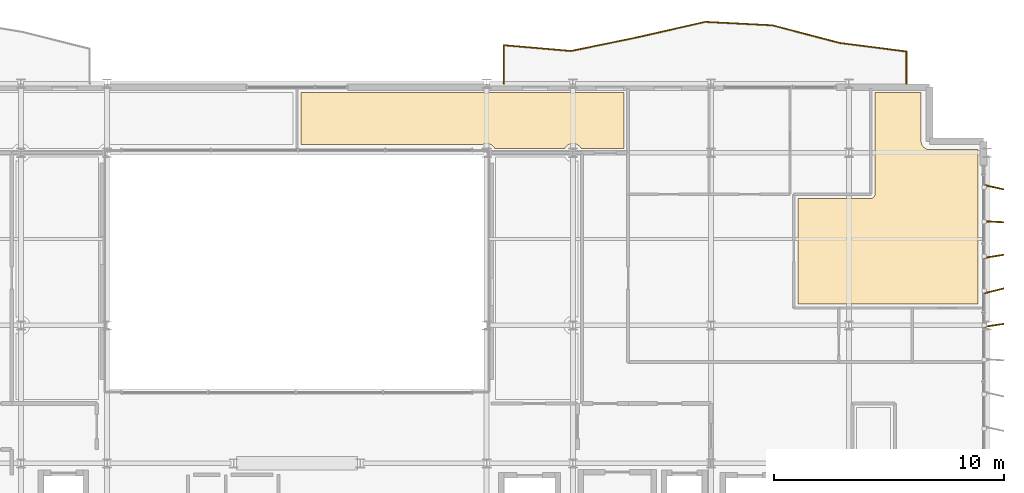
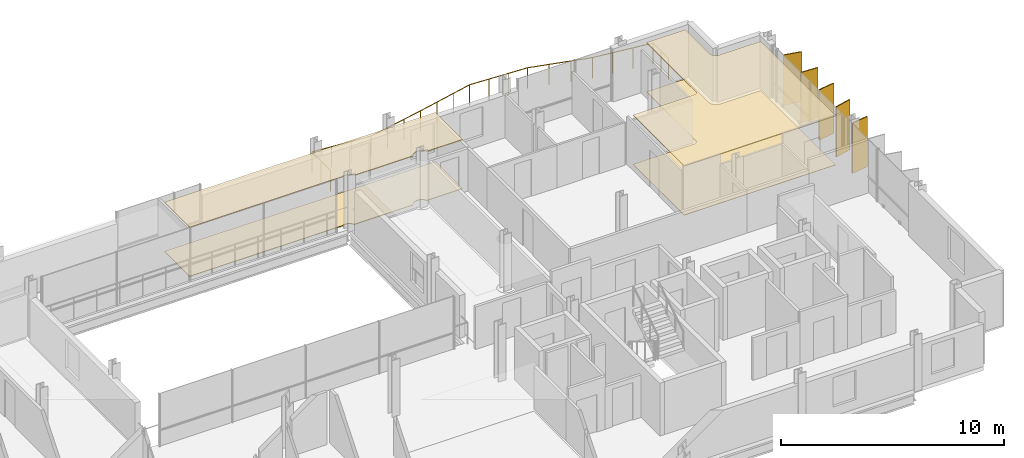
# One storey, part 38 of 38: 5 shading devices, 4 coverings, 1 railing.
"""IFC4 building model written with IfcOpenShell, lengths in metres."""

import ifcopenshell
import ifcopenshell.guid

model = None  # the IFC model being written
_history = None  # IfcOwnerHistory: only IFC2X3 demands one
_inside = {}  # id of a spatial element -> (the spatial element, [elements in it])
_under = {}  # id of a project, library or spatial element -> (it, [spatial elements below it])
_declared = {}  # id of a project -> (the project, [libraries it declares])
_typed = {}  # id of a type object -> (the type object, [elements of that type])
_made_of = {}  # id of a material, layer set ... -> (it, [elements and type objects made of it])


def new_model(schema):
    """Start an empty IFC model of exactly this schema.

    Asked for "IFC4X3", IfcOpenShell would pick the latest addendum, in which some entities
    have other attributes; the version numbers below select the first issue.
    IFC2X3 requires an IfcOwnerHistory on every rooted entity: one is made here for all.
    """
    global model, _history
    if schema == "IFC4X3":
        model = ifcopenshell.file(schema_version=(4, 3, 0, 0))
    else:
        model = ifcopenshell.file(schema=schema)
    _inside.clear()
    _under.clear()
    _declared.clear()
    _typed.clear()
    _made_of.clear()
    _history = None
    if model.schema == "IFC2X3":
        org = make("IfcOrganization", Name="unknown")
        user = make(
            "IfcPersonAndOrganization",
            ThePerson=make("IfcPerson", FamilyName="unknown"),
            TheOrganization=org,
        )
        app = make(
            "IfcApplication",
            ApplicationDeveloper=org,
            Version="unknown",
            ApplicationFullName="unknown",
            ApplicationIdentifier="unknown",
        )
        _history = make(
            "IfcOwnerHistory",
            OwningUser=user,
            OwningApplication=app,
            ChangeAction="ADDED",
            CreationDate=0,
        )
    return model


def make(cls, **values):
    """One entity of the class cls with the attributes given. An attribute that is None is left unset."""
    return model.create_entity(
        cls, **{name: value for name, value in values.items() if value is not None}
    )


def rooted(cls, **values):
    """An entity with a GlobalId (a new one), such as an element, a storey or a relation."""
    return make(cls, GlobalId=ifcopenshell.guid.new(), OwnerHistory=_history, **values)


def si_unit(unit_type, name, prefix=None):
    """IfcSIUnit, for example si_unit("LENGTHUNIT", "METRE", prefix="MILLI")."""
    return make("IfcSIUnit", UnitType=unit_type, Prefix=prefix, Name=name)


def assignment(units):
    """IfcUnitAssignment: the units of a project."""
    return None if units is None else make("IfcUnitAssignment", Units=units)


def point(xyz):
    """IfcCartesianPoint."""
    return None if xyz is None else make("IfcCartesianPoint", Coordinates=xyz)


def direction(xyz):
    """IfcDirection."""
    return None if xyz is None else make("IfcDirection", DirectionRatios=xyz)


def frame(location, z_axis=None, x_axis=None):
    """IfcAxis2Placement3D, a coordinate frame: its origin and axes. An axis left out is left unset."""
    return make(
        "IfcAxis2Placement3D",
        Location=point(location),
        Axis=direction(z_axis),
        RefDirection=direction(x_axis),
    )


def frame_2d(location, x_axis=None):
    """IfcAxis2Placement2D, a coordinate frame in the plane: its origin and x axis."""
    return make(
        "IfcAxis2Placement2D", Location=point(location), RefDirection=direction(x_axis)
    )


def origin():
    """The frame at (0, 0, 0) with its axes left unset."""
    return frame((0.0, 0.0, 0.0))


def origin_2d():
    """The frame at (0, 0) in the plane with its x axis left unset."""
    return frame_2d((0.0, 0.0))


def place(relative_to, where):
    """IfcLocalPlacement: puts the frame where relative to a parent placement (None: the world)."""
    return make(
        "IfcLocalPlacement", PlacementRelTo=relative_to, RelativePlacement=where
    )


def context(
    kind, dimensions, precision=None, world=None, true_north=None, identifier=None
):
    """IfcGeometricRepresentationContext, for example the 3D "Model" context."""
    return make(
        "IfcGeometricRepresentationContext",
        ContextIdentifier=identifier,
        ContextType=kind,
        CoordinateSpaceDimension=dimensions,
        Precision=precision,
        WorldCoordinateSystem=world,
        TrueNorth=true_north,
    )


def subcontext(parent, identifier, kind, view, scale=None):
    """IfcGeometricRepresentationSubContext, for example "Body" below "Model"."""
    return make(
        "IfcGeometricRepresentationSubContext",
        ContextIdentifier=identifier,
        ContextType=kind,
        ParentContext=parent,
        TargetScale=scale,
        TargetView=view,
    )


def project(units=None, contexts=None):
    """IfcProject with its units and contexts."""
    return rooted(
        "IfcProject",
        Name="project",
        RepresentationContexts=contexts,
        UnitsInContext=assignment(units),
    )


def spatial(cls, under=None, at=None, **own):
    """A site, building, storey or space (cls), placed at a placement, below another one or the project."""
    s = rooted(cls, ObjectPlacement=at, **own)
    if under is not None:
        _under.setdefault(under.id(), (under, []))[1].append(s)
    return s


def polyline(points):
    """IfcPolyline through the points."""
    return make("IfcPolyline", Points=[point(p) for p in points])


def profile(cls, at=None, kind="AREA", **sizes):
    """A parametric profile (cls). Its sizes go by their IFC names, for example OverallWidth=200.0."""
    return make(cls, ProfileType=kind, Position=at, **sizes)


def rectangle(**sizes):
    """IfcRectangleProfileDef."""
    return profile("IfcRectangleProfileDef", **sizes)


def circle(**sizes):
    """IfcCircleProfileDef."""
    return profile("IfcCircleProfileDef", **sizes)


def outline(outer, holes=None, kind="AREA"):
    """IfcArbitraryClosedProfileDef: a profile drawn as a closed curve; with holes, ...WithVoids."""
    if holes is None:
        return make("IfcArbitraryClosedProfileDef", ProfileType=kind, OuterCurve=outer)
    return make(
        "IfcArbitraryProfileDefWithVoids",
        ProfileType=kind,
        OuterCurve=outer,
        InnerCurves=holes,
    )


def extrude(swept, where, along, depth):
    """IfcExtrudedAreaSolid: the profile swept, set in the frame where, extruded along a direction by depth."""
    return make(
        "IfcExtrudedAreaSolid",
        SweptArea=swept,
        Position=where,
        ExtrudedDirection=direction(along),
        Depth=depth,
    )


def shape(context_of_items, identifier, shape_type, items):
    """IfcShapeRepresentation: the items that make up one representation, for example the "Body"."""
    return make(
        "IfcShapeRepresentation",
        ContextOfItems=context_of_items,
        RepresentationIdentifier=identifier,
        RepresentationType=shape_type,
        Items=items,
    )


def material(Name=None, Category=None):
    """IfcMaterial."""
    return make("IfcMaterial", Name=Name, Category=Category)


def layer(
    of_material, thickness, ventilated=None, Name=None, Category=None, Priority=None
):
    """IfcMaterialLayer: one layer of a wall or slab, of a material (None: an air gap)."""
    return make(
        "IfcMaterialLayer",
        Material=of_material,
        LayerThickness=thickness,
        IsVentilated=ventilated,
        Name=Name,
        Category=Category,
        Priority=Priority,
    )


def layer_set(layers, Name=None):
    """IfcMaterialLayerSet."""
    return make("IfcMaterialLayerSet", MaterialLayers=layers, LayerSetName=Name)


def made_of(thing, what):
    """Note that an element or type object is made of a material, layer set ...; save() writes the relation."""
    if what is not None:
        _made_of.setdefault(what.id(), (what, []))[1].append(thing)
    return thing


def type_object(cls, material=None, **own):
    """A type object (cls), such as IfcWallType, which elements share."""
    return made_of(rooted(cls, **own), material)


def element(
    cls,
    number,
    at=None,
    inside=None,
    cuts=None,
    type_object=None,
    material=None,
    context=None,
    identifier="Body",
    shape_type=None,
    held_by="IfcProductDefinitionShape",
    body=None,
    shapes=None,
    **own,
):
    """One element of the class cls, such as IfcWall. Its Tag is "e" and its number.

    at: its placement. inside: the storey or other place that contains it. cuts: it is an
    opening in that element (IfcRelVoidsElement). A single representation is given by context,
    identifier, shape_type and body (its items); several are given by shapes. held_by: the class
    of the entity that holds the representations. save() writes the other relations.
    """
    e = rooted(cls, Tag="e%d" % number, ObjectPlacement=at, **own)
    if body is not None:
        shapes = [shape(context, identifier, shape_type, body)]
    if shapes is not None:
        e.Representation = make(held_by, Representations=shapes)
    if inside is not None:
        _inside.setdefault(inside.id(), (inside, []))[1].append(e)
    if cuts is not None:
        rooted(
            "IfcRelVoidsElement", RelatingBuildingElement=cuts, RelatedOpeningElement=e
        )
    if type_object is not None:
        _typed.setdefault(type_object.id(), (type_object, []))[1].append(e)
    return made_of(e, material)


def aggregate(whole, parts):
    """IfcRelAggregates: a whole, such as a stair, and the parts it consists of."""
    return rooted("IfcRelAggregates", RelatingObject=whole, RelatedObjects=parts)


def save(model, path):
    """Write the relations noted so far, then the file.

    IfcRelAggregates (storeys below a building ...), IfcRelContainedInSpatialStructure (elements
    in a storey), IfcRelDefinesByType, IfcRelAssociatesMaterial and IfcRelDeclares: one each for
    every whole, place, type object, material and project.
    """
    for whole, parts in _under.values():
        aggregate(whole, parts)
    for where, things in _inside.values():
        rooted(
            "IfcRelContainedInSpatialStructure",
            RelatedElements=things,
            RelatingStructure=where,
        )
    for kind, things in _typed.values():
        rooted("IfcRelDefinesByType", RelatedObjects=things, RelatingType=kind)
    for what, things in _made_of.values():
        rooted("IfcRelAssociatesMaterial", RelatedObjects=things, RelatingMaterial=what)
    for by, libraries in _declared.values():
        rooted("IfcRelDeclares", RelatingContext=by, RelatedDefinitions=libraries)
    model.write(path)


model = new_model("IFC4")

# Units and contexts
model_context = context("Model", 3, precision=1e-05, world=origin(), true_north=direction((0.0, 1.0)))
body_context = subcontext(model_context, "Body", "Model", "MODEL_VIEW")
ifc_project = project(units=[si_unit("LENGTHUNIT", "METRE"), si_unit("AREAUNIT", "SQUARE_METRE"), si_unit("VOLUMEUNIT", "CUBIC_METRE"), si_unit("PLANEANGLEUNIT", "RADIAN"), si_unit("MASSUNIT", "GRAM", prefix="KILO")], contexts=[model_context])

# Site, building, storey
site_placement = place(None, origin())
site = spatial("IfcSite", under=ifc_project, at=site_placement, CompositionType="ELEMENT")
building_placement = place(site_placement, origin())
building = spatial("IfcBuilding", under=site, at=building_placement, Name="Brevholm Reach", CompositionType="ELEMENT")
storey_placement = place(building_placement, frame((0.0, 0.0, 186.300048828125)))
storey = spatial("IfcBuildingStorey", under=building, at=storey_placement, Name="L56", CompositionType="ELEMENT", Elevation=186.300048828125)

# Coverings
ifc_material_1 = material(Name="Perforated Mineral-Fibre Class-A Acoustic Suspended Ceiling", Category="gypsum")
ifc_layer_1 = layer(ifc_material_1, 0.044921875)
ifc_layer_set_1 = layer_set([ifc_layer_1], Name="Perforated Mineral-Fibre Class-A Acoustic Suspended Ceiling")
covering_type_1 = type_object("IfcCoveringType", Name="COV-CLG-AC", PredefinedType="CEILING", material=ifc_layer_set_1)
covering_1_placement = place(storey_placement, frame((0.0, 0.0, 2.675048828125)))
element("IfcCovering", 1, at=covering_1_placement, inside=storey, type_object=covering_type_1, Name="L56 Suspended Ceiling L56-54", PredefinedType="CEILING", context=body_context, shape_type="SweptSolid", body=[
    extrude(outline(polyline([(51.780029296875, 16.929931640625), (51.780029296875, 21.51611328125), (54.95361328125, 21.516845703125), (54.97119140625, 21.517822265625), (54.98876953125, 21.5205078125), (55.005859375, 21.524658203125), (55.0224609375, 21.530517578125), (55.038330078125, 21.5380859375), (55.053466796875, 21.547119140625), (55.067626953125, 21.557861328125), (55.080810546875, 21.569580078125), (55.092529296875, 21.582763671875), (55.103271484375, 21.596923828125), (55.1123046875, 21.612060546875), (55.119873046875, 21.6279296875), (55.125732421875, 21.64453125), (55.1298828125, 21.66162109375), (55.132568359375, 21.67919921875), (55.133544921875, 21.69677734375), (55.135009765625, 26.1201171875), (57.139892578125, 26.1201171875), (57.139892578125, 24.0), (57.140869140625, 23.982177734375), (57.144287109375, 23.947021484375), (57.14697265625, 23.9296875), (57.151123046875, 23.912841796875), (57.161376953125, 23.879150390625), (57.167236328125, 23.8623046875), (57.1748046875, 23.84619140625), (57.19140625, 23.815185546875), (57.20068359375, 23.800048828125), (57.211181640625, 23.785888671875), (57.2333984375, 23.758544921875), (57.245361328125, 23.745361328125), (57.258544921875, 23.7333984375), (57.285888671875, 23.711181640625), (57.300048828125, 23.70068359375), (57.315185546875, 23.69140625), (57.34619140625, 23.6748046875), (57.3623046875, 23.667236328125), (57.379150390625, 23.661376953125), (57.412841796875, 23.651123046875), (57.4296875, 23.64697265625), (57.447021484375, 23.644287109375), (57.482177734375, 23.640869140625), (57.5, 23.639892578125), (59.6201171875, 23.639892578125), (59.6201171875, 23.623779296875), (59.6171875, 23.6162109375), (59.607666015625, 23.577880859375), (59.601806640625, 23.539306640625), (59.60009765625, 23.5), (59.601806640625, 23.460693359375), (59.607666015625, 23.422119140625), (59.6171875, 23.3837890625), (59.6201171875, 23.376220703125), (59.6201171875, 16.93408203125), (53.550048828125, 16.93408203125), (53.532470703125, 16.93310546875), (53.514892578125, 16.930419921875), (53.5126953125, 16.929931640625), (51.780029296875, 16.929931640625)])), origin(), (0.0, 0.0, 1.0), 0.044921875),
])
covering_2_placement = place(storey_placement, frame((0.0, 0.0, 2.675048828125)))
element("IfcCovering", 2, at=covering_2_placement, inside=storey, type_object=covering_type_1, Name="L56 Suspended Ceiling L56-59", PredefinedType="CEILING", context=body_context, shape_type="SweptSolid", body=[
    extrude(outline(polyline([(38.126220703125, 26.1201171875), (38.1337890625, 26.1171875), (38.172119140625, 26.107666015625), (38.210693359375, 26.101806640625), (38.25, 26.10009765625), (38.289306640625, 26.101806640625), (38.327880859375, 26.107666015625), (38.3662109375, 26.1171875), (38.373779296875, 26.1201171875), (41.876220703125, 26.1201171875), (41.8837890625, 26.1171875), (41.922119140625, 26.107666015625), (41.960693359375, 26.101806640625), (42.0, 26.10009765625), (42.039306640625, 26.101806640625), (42.077880859375, 26.107666015625), (42.1162109375, 26.1171875), (42.123779296875, 26.1201171875), (44.216064453125, 26.1201171875), (44.216064453125, 23.68408203125), (42.35498046875, 23.68408203125), (42.352783203125, 23.688720703125), (42.33251953125, 23.72216796875), (42.30908203125, 23.75390625), (42.28271484375, 23.78271484375), (42.25390625, 23.80908203125), (42.22216796875, 23.83251953125), (42.188720703125, 23.852783203125), (42.153076171875, 23.86962890625), (42.1162109375, 23.8828125), (42.077880859375, 23.892333984375), (42.039306640625, 23.898193359375), (42.0, 23.89990234375), (41.960693359375, 23.898193359375), (41.922119140625, 23.892333984375), (41.8837890625, 23.8828125), (41.846923828125, 23.86962890625), (41.811279296875, 23.852783203125), (41.77783203125, 23.83251953125), (41.74609375, 23.80908203125), (41.71728515625, 23.78271484375), (41.69091796875, 23.75390625), (41.66748046875, 23.72216796875), (41.647216796875, 23.688720703125), (41.64501953125, 23.68408203125), (38.60498046875, 23.68408203125), (38.602783203125, 23.688720703125), (38.58251953125, 23.72216796875), (38.55908203125, 23.75390625), (38.53271484375, 23.78271484375), (38.50390625, 23.80908203125), (38.47216796875, 23.83251953125), (38.438720703125, 23.852783203125), (38.403076171875, 23.86962890625), (38.3662109375, 23.8828125), (38.327880859375, 23.892333984375), (38.289306640625, 23.898193359375), (38.25, 23.89990234375), (38.210693359375, 23.898193359375), (38.172119140625, 23.892333984375), (38.1337890625, 23.8828125), (38.096923828125, 23.86962890625), (38.07666015625, 23.860107421875), (30.18408203125, 23.860107421875), (30.18408203125, 26.1201171875), (38.126220703125, 26.1201171875)])), origin(), (0.0, 0.0, 1.0), 0.044921875),
])
ifc_material_2 = material(Name="Engineered European Oak Acoustic Plank Flooring", Category="timber")
ifc_layer_2 = layer(ifc_material_2, 0.02197265625)
ifc_layer_set_2 = layer_set([ifc_layer_2], Name="Engineered European Oak Acoustic Plank Flooring")
covering_type_2 = type_object("IfcCoveringType", Name="COV-FLR-OAK", PredefinedType="FLOORING", material=ifc_layer_set_2)
covering_3_placement = place(storey_placement, origin())
element("IfcCovering", 3, at=covering_3_placement, inside=storey, type_object=covering_type_2, Name="L56 Floor Finish L56-54", PredefinedType="FLOORING", context=body_context, shape_type="SweptSolid", body=[
    extrude(outline(polyline([(51.780029296875, 16.929931640625), (51.780029296875, 21.51611328125), (54.95361328125, 21.516845703125), (54.97119140625, 21.517822265625), (54.98876953125, 21.5205078125), (55.005859375, 21.524658203125), (55.0224609375, 21.530517578125), (55.038330078125, 21.5380859375), (55.053466796875, 21.547119140625), (55.067626953125, 21.557861328125), (55.080810546875, 21.569580078125), (55.092529296875, 21.582763671875), (55.103271484375, 21.596923828125), (55.1123046875, 21.612060546875), (55.119873046875, 21.6279296875), (55.125732421875, 21.64453125), (55.1298828125, 21.66162109375), (55.132568359375, 21.67919921875), (55.133544921875, 21.69677734375), (55.135009765625, 26.1201171875), (57.139892578125, 26.1201171875), (57.139892578125, 24.0), (57.140869140625, 23.982177734375), (57.144287109375, 23.947021484375), (57.14697265625, 23.9296875), (57.151123046875, 23.912841796875), (57.161376953125, 23.879150390625), (57.167236328125, 23.8623046875), (57.1748046875, 23.84619140625), (57.19140625, 23.815185546875), (57.20068359375, 23.800048828125), (57.211181640625, 23.785888671875), (57.2333984375, 23.758544921875), (57.245361328125, 23.745361328125), (57.258544921875, 23.7333984375), (57.285888671875, 23.711181640625), (57.300048828125, 23.70068359375), (57.315185546875, 23.69140625), (57.34619140625, 23.6748046875), (57.3623046875, 23.667236328125), (57.379150390625, 23.661376953125), (57.412841796875, 23.651123046875), (57.4296875, 23.64697265625), (57.447021484375, 23.644287109375), (57.482177734375, 23.640869140625), (57.5, 23.639892578125), (59.6201171875, 23.639892578125), (59.6201171875, 23.623779296875), (59.6171875, 23.6162109375), (59.607666015625, 23.577880859375), (59.601806640625, 23.539306640625), (59.60009765625, 23.5), (59.601806640625, 23.460693359375), (59.607666015625, 23.422119140625), (59.6171875, 23.3837890625), (59.6201171875, 23.376220703125), (59.6201171875, 16.93408203125), (53.550048828125, 16.93408203125), (53.532470703125, 16.93310546875), (53.514892578125, 16.930419921875), (53.5126953125, 16.929931640625), (51.780029296875, 16.929931640625)])), origin(), (0.0, 0.0, 1.0), 0.02197265625),
])
ifc_material_3 = material(Name="Honed Portland-Aggregate Resin Terrazzo Flooring", Category="concrete")
ifc_layer_3 = layer(ifc_material_3, 0.031982421875)
ifc_layer_set_3 = layer_set([ifc_layer_3], Name="Honed Portland-Aggregate Resin Terrazzo Flooring")
covering_type_3 = type_object("IfcCoveringType", Name="COV-FLR-TRZ", PredefinedType="FLOORING", material=ifc_layer_set_3)
covering_4_placement = place(storey_placement, origin())
element("IfcCovering", 4, at=covering_4_placement, inside=storey, type_object=covering_type_3, Name="L56 Floor Finish L56-59", PredefinedType="FLOORING", context=body_context, shape_type="SweptSolid", body=[
    extrude(outline(polyline([(38.126220703125, 26.1201171875), (38.1337890625, 26.1171875), (38.172119140625, 26.107666015625), (38.210693359375, 26.101806640625), (38.25, 26.10009765625), (38.289306640625, 26.101806640625), (38.327880859375, 26.107666015625), (38.3662109375, 26.1171875), (38.373779296875, 26.1201171875), (41.876220703125, 26.1201171875), (41.8837890625, 26.1171875), (41.922119140625, 26.107666015625), (41.960693359375, 26.101806640625), (42.0, 26.10009765625), (42.039306640625, 26.101806640625), (42.077880859375, 26.107666015625), (42.1162109375, 26.1171875), (42.123779296875, 26.1201171875), (44.216064453125, 26.1201171875), (44.216064453125, 23.68408203125), (42.35498046875, 23.68408203125), (42.352783203125, 23.688720703125), (42.33251953125, 23.72216796875), (42.30908203125, 23.75390625), (42.28271484375, 23.78271484375), (42.25390625, 23.80908203125), (42.22216796875, 23.83251953125), (42.188720703125, 23.852783203125), (42.153076171875, 23.86962890625), (42.1162109375, 23.8828125), (42.077880859375, 23.892333984375), (42.039306640625, 23.898193359375), (42.0, 23.89990234375), (41.960693359375, 23.898193359375), (41.922119140625, 23.892333984375), (41.8837890625, 23.8828125), (41.846923828125, 23.86962890625), (41.811279296875, 23.852783203125), (41.77783203125, 23.83251953125), (41.74609375, 23.80908203125), (41.71728515625, 23.78271484375), (41.69091796875, 23.75390625), (41.66748046875, 23.72216796875), (41.647216796875, 23.688720703125), (41.64501953125, 23.68408203125), (38.60498046875, 23.68408203125), (38.602783203125, 23.688720703125), (38.58251953125, 23.72216796875), (38.55908203125, 23.75390625), (38.53271484375, 23.78271484375), (38.50390625, 23.80908203125), (38.47216796875, 23.83251953125), (38.438720703125, 23.852783203125), (38.403076171875, 23.86962890625), (38.3662109375, 23.8828125), (38.327880859375, 23.892333984375), (38.289306640625, 23.898193359375), (38.25, 23.89990234375), (38.210693359375, 23.898193359375), (38.172119140625, 23.892333984375), (38.1337890625, 23.8828125), (38.096923828125, 23.86962890625), (38.07666015625, 23.860107421875), (30.18408203125, 23.860107421875), (30.18408203125, 26.1201171875), (38.126220703125, 26.1201171875)])), origin(), (0.0, 0.0, 1.0), 0.031982421875),
])

# Railing
ifc_material_4 = material(Name="Brushed Stainless Steel EN 1.4401 and Laminated Glass", Category="steel")
railing_type = type_object("IfcRailingType", Name="RAL-BALC-1150", PredefinedType="BALUSTRADE", material=ifc_material_4)
railing_placement = place(storey_placement, frame((56.5, 26.5, 0.0)))
element("IfcRailing", 5, at=railing_placement, inside=storey, type_object=railing_type, Name="L56 Guard Balustrade RAL-L56-BAL-NE", PredefinedType="BALUSTRADE", context=body_context, shape_type="SweptSolid", body=[
    extrude(circle(Radius=0.02392578125, at=origin_2d()), frame((0.0, 0.0, 1.1259765625), z_axis=(0.0, 1.0, 0.0), x_axis=(-1.0, 0.0, 0.0)), (0.0, 0.0, 1.0), 1.40380859375),
    extrude(circle(Radius=0.02392578125, at=origin_2d()), frame((0.0, 1.40380859375, 1.1259765625), z_axis=(-0.991825721968, 0.127599910828, 0.0), x_axis=(-0.127599910828, -0.991825721968, 0.0)), (0.0, 0.0, 1.0), 2.940673828125),
    extrude(circle(Radius=0.02392578125, at=origin_2d()), frame((-2.916748046875, 1.779052734375, 1.1259765625), z_axis=(-0.967287116441, 0.253684123205, 0.0), x_axis=(-0.253684123205, -0.967287116441, 0.0)), (0.0, 0.0, 1.0), 3.01513671875),
    extrude(circle(Radius=0.02392578125, at=origin_2d()), frame((-5.833251953125, 2.5439453125, 1.1259765625), z_axis=(-0.998720239463, 0.050575520622, 0.0), x_axis=(-0.050575520622, -0.998720239463, 0.0)), (0.0, 0.0, 1.0), 2.92041015625),
    extrude(circle(Radius=0.02392578125, at=origin_2d()), frame((-8.75, 2.691650390625, 1.1259765625), z_axis=(-0.975066268344, -0.221913884961, 0.0), x_axis=(0.221913884961, -0.975066268344, 0.0)), (0.0, 0.0, 1.0), 2.991455078125),
    extrude(circle(Radius=0.02392578125, at=origin_2d()), frame((-11.666748046875, 2.02783203125, 1.1259765625), z_axis=(-0.979367411888, -0.202087784221, 0.0), x_axis=(0.202087784221, -0.979367411888, 0.0)), (0.0, 0.0, 1.0), 2.97802734375),
    extrude(circle(Radius=0.02392578125, at=origin_2d()), frame((-14.583251953125, 1.426025390625, 1.1259765625), z_axis=(-0.996282713287, 0.086143805376, 0.0), x_axis=(-0.086143805376, -0.996282713287, 0.0)), (0.0, 0.0, 1.0), 2.927734375),
    extrude(circle(Radius=0.02392578125, at=origin_2d()), frame((-17.5, 1.67822265625, 1.1259765625), z_axis=(0.0, -1.0, 0.0), x_axis=(1.0, 0.0, 0.0)), (0.0, 0.0, 1.0), 1.67822265625),
    extrude(circle(Radius=0.02099609375, at=origin_2d()), origin(), (0.0, 0.0, 1.0), 1.101806640625),
    extrude(circle(Radius=0.02099609375, at=origin_2d()), frame((0.0, 0.701904296875, 0.0)), (0.0, 0.0, 1.0), 1.101806640625),
    extrude(circle(Radius=0.02099609375, at=origin_2d()), frame((0.0, 1.40380859375, 0.0)), (0.0, 0.0, 1.0), 1.101806640625),
    extrude(circle(Radius=0.02099609375, at=origin_2d()), frame((-0.97216796875, 1.52880859375, 0.0)), (0.0, 0.0, 1.0), 1.101806640625),
    extrude(circle(Radius=0.02099609375, at=origin_2d()), frame((-1.944580078125, 1.654052734375, 0.0)), (0.0, 0.0, 1.0), 1.101806640625),
    extrude(circle(Radius=0.02099609375, at=origin_2d()), frame((-2.916748046875, 1.779052734375, 0.0)), (0.0, 0.0, 1.0), 1.101806640625),
    extrude(circle(Radius=0.02099609375, at=origin_2d()), frame((-3.888916015625, 2.033935546875, 0.0)), (0.0, 0.0, 1.0), 1.101806640625),
    extrude(circle(Radius=0.02099609375, at=origin_2d()), frame((-4.861083984375, 2.2890625, 0.0)), (0.0, 0.0, 1.0), 1.101806640625),
    extrude(circle(Radius=0.02099609375, at=origin_2d()), frame((-5.833251953125, 2.5439453125, 0.0)), (0.0, 0.0, 1.0), 1.101806640625),
    extrude(circle(Radius=0.02099609375, at=origin_2d()), frame((-6.805419921875, 2.59326171875, 0.0)), (0.0, 0.0, 1.0), 1.101806640625),
    extrude(circle(Radius=0.02099609375, at=origin_2d()), frame((-7.77783203125, 2.642333984375, 0.0)), (0.0, 0.0, 1.0), 1.101806640625),
    extrude(circle(Radius=0.02099609375, at=origin_2d()), frame((-8.75, 2.691650390625, 0.0)), (0.0, 0.0, 1.0), 1.101806640625),
    extrude(circle(Radius=0.02099609375, at=origin_2d()), frame((-9.72216796875, 2.470458984375, 0.0)), (0.0, 0.0, 1.0), 1.101806640625),
    extrude(circle(Radius=0.02099609375, at=origin_2d()), frame((-10.694580078125, 2.2490234375, 0.0)), (0.0, 0.0, 1.0), 1.101806640625),
    extrude(circle(Radius=0.02099609375, at=origin_2d()), frame((-11.666748046875, 2.02783203125, 0.0)), (0.0, 0.0, 1.0), 1.101806640625),
    extrude(circle(Radius=0.02099609375, at=origin_2d()), frame((-12.638916015625, 1.8271484375, 0.0)), (0.0, 0.0, 1.0), 1.101806640625),
    extrude(circle(Radius=0.02099609375, at=origin_2d()), frame((-13.611083984375, 1.626708984375, 0.0)), (0.0, 0.0, 1.0), 1.101806640625),
    extrude(circle(Radius=0.02099609375, at=origin_2d()), frame((-14.583251953125, 1.426025390625, 0.0)), (0.0, 0.0, 1.0), 1.101806640625),
    extrude(circle(Radius=0.02099609375, at=origin_2d()), frame((-15.555419921875, 1.510009765625, 0.0)), (0.0, 0.0, 1.0), 1.101806640625),
    extrude(circle(Radius=0.02099609375, at=origin_2d()), frame((-16.52783203125, 1.59423828125, 0.0)), (0.0, 0.0, 1.0), 1.101806640625),
    extrude(circle(Radius=0.02099609375, at=origin_2d()), frame((-17.5, 1.67822265625, 0.0)), (0.0, 0.0, 1.0), 1.101806640625),
    extrude(circle(Radius=0.02099609375, at=origin_2d()), frame((-17.5, 0.839111328125, 0.0)), (0.0, 0.0, 1.0), 1.101806640625),
    extrude(circle(Radius=0.02099609375, at=origin_2d()), frame((-17.5, 0.0, 0.0)), (0.0, 0.0, 1.0), 1.101806640625),
])

# Shading devices
ifc_material_5 = material(Name="Perforated Champagne-Bronze Anodised Aluminium", Category="aluminium")
ifc_layer_4 = layer(ifc_material_5, 0.054931640625)
ifc_layer_set_4 = layer_set([ifc_layer_4], Name="Perforated Champagne-Bronze Anodised Aluminium")
shading_device_type = type_object("IfcShadingDeviceType", Name="SHD-FIN-850", PredefinedType="USERDEFINED", material=ifc_layer_set_4)
for number, where, z_axis, x_axis, name in (
    (6, (60.31494140625, 16.0, 0.070068359375), (0.0, 0.0, 1.0), (0.989039069008, 0.147654055058, 0.0), "L56 Perforated Solar Screen Fin 4"),
    (7, (60.31494140625, 17.5, 0.070068359375), (0.0, 0.0, 1.0), (0.970308391947, 0.241871090703, 0.0), "L56 Perforated Solar Screen Fin 5"),
    (8, (60.31494140625, 19.0, 0.070068359375), (0.0, 0.0, 1.0), (0.987789155614, 0.155796611166, 0.0), "L56 Perforated Solar Screen Fin 6"),
    (9, (60.31494140625, 20.5, 0.070068359375), (0.0, 0.0, 1.0), (0.998789024705, -0.049198415926, 0.0), "L56 Perforated Solar Screen Fin 7"),
    (10, (60.31494140625, 22.0, 0.070068359375), (0.0, 0.0, 1.0), (0.976371499317, -0.216098809163, 0.0), "L56 Perforated Solar Screen Fin 8"),
):
    element("IfcShadingDevice", number, at=place(storey_placement, frame(where, z_axis=z_axis, x_axis=x_axis)), inside=storey, type_object=shading_device_type, Name=name, ObjectType="SCREEN", PredefinedType="USERDEFINED", context=body_context, shape_type="SweptSolid", body=[
        extrude(rectangle(XDim=0.85009765625, YDim=0.054931640625, at=origin_2d()), origin(), (0.0, 0.0, 1.0), 2.75),
    ])

save(model, "model.ifc")
